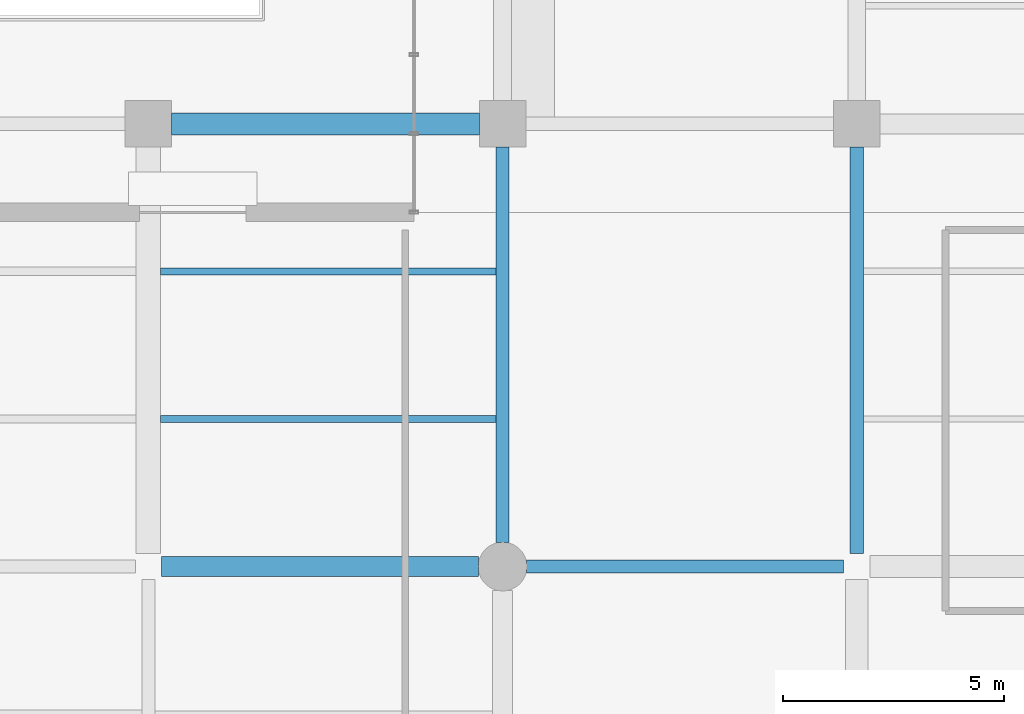
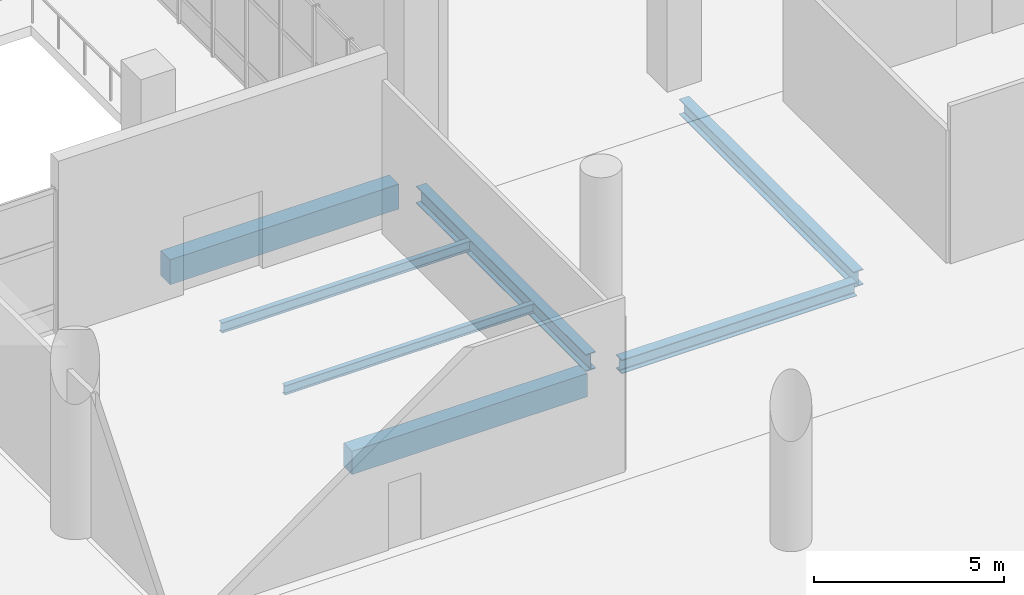
# One storey, part 73 of 163: 7 beams.
"""IFC4 building model written with IfcOpenShell, lengths in metres."""

from ifc_helpers import new_model, si_unit, direction, frame, origin, origin_2d, place, context, subcontext, project, spatial, rectangle, i_section, extrude, material, material_profile, profile_set, type_object, element, save


model = new_model("IFC4")

# Units and contexts
model_context = context("Model", 3, precision=1e-05, world=origin(), true_north=direction((0.0, 1.0)))
body_context = subcontext(model_context, "Body", "Model", "MODEL_VIEW")
ifc_project = project(units=[si_unit("LENGTHUNIT", "METRE"), si_unit("AREAUNIT", "SQUARE_METRE"), si_unit("VOLUMEUNIT", "CUBIC_METRE"), si_unit("PLANEANGLEUNIT", "RADIAN"), si_unit("MASSUNIT", "GRAM", prefix="KILO")], contexts=[model_context])

# Site, building, storey
site_placement = place(None, origin())
site = spatial("IfcSite", under=ifc_project, at=site_placement, CompositionType="ELEMENT")
building_placement = place(site_placement, origin())
building = spatial("IfcBuilding", under=site, at=building_placement, Name="Khorjan Park Terminus", CompositionType="ELEMENT")
storey_placement = place(building_placement, origin())
storey = spatial("IfcBuildingStorey", under=building, at=storey_placement, Name="L00", CompositionType="ELEMENT", Elevation=0.0)

# Beams
ifc_material_1 = material(Name="Steel S355", Category="steel")
ifc_material_profile_1 = material_profile(ifc_material_1, i_section(OverallWidth=0.3, OverallDepth=0.44, WebThickness=0.0115, FlangeThickness=0.021, FilletRadius=0.027, at=origin_2d()), Name="HEA 450")
ifc_profile_set_1 = profile_set([ifc_material_profile_1], Name="Steel S355")
beam_type_1 = type_object("IfcBeamType", Name="BM-HEA450", PredefinedType="BEAM", material=ifc_profile_set_1)
beam_1_placement = place(storey_placement, frame((112.545, 78.0, -0.57), z_axis=(1.0, 0.0, 0.0), x_axis=(0.0, 1.0, 0.0)))
element("IfcBeam", 1, at=beam_1_placement, inside=storey, type_object=beam_type_1, Name="Primary floor girder SB-A45 (L00)", PredefinedType="BEAM", context=body_context, shape_type="SweptSolid", body=[
    extrude(i_section(OverallWidth=0.3, OverallDepth=0.44, WebThickness=0.0115, FlangeThickness=0.021, FilletRadius=0.027, at=origin_2d()), origin(), (0.0, 0.0, 1.0), 7.16),
])
ifc_material_profile_2 = material_profile(ifc_material_1, i_section(OverallWidth=0.3, OverallDepth=0.5, WebThickness=0.0145, FlangeThickness=0.028, FilletRadius=0.027, at=origin_2d()), Name="HEB 500")
ifc_profile_set_2 = profile_set([ifc_material_profile_2], Name="Steel S355")
beam_type_2 = type_object("IfcBeamType", Name="BM-HEB500", PredefinedType="BEAM", material=ifc_profile_set_2)
beam_2_placement = place(storey_placement, frame((120.0, 78.295, -0.6), z_axis=(0.0, 1.0, 0.0), x_axis=(-1.0, 0.0, 0.0)))
element("IfcBeam", 2, at=beam_2_placement, inside=storey, type_object=beam_type_2, Name="Primary floor girder SB-B50 (L00)", PredefinedType="BEAM", context=body_context, shape_type="SweptSolid", body=[
    extrude(i_section(OverallWidth=0.3, OverallDepth=0.5, WebThickness=0.0145, FlangeThickness=0.028, FilletRadius=0.027, at=origin_2d()), origin(), (0.0, 0.0, 1.0), 9.185),
])
ifc_material_profile_3 = material_profile(ifc_material_1, i_section(OverallWidth=0.3, OverallDepth=0.55, WebThickness=0.015, FlangeThickness=0.029, FilletRadius=0.027, at=origin_2d()), Name="HEB 550")
ifc_profile_set_3 = profile_set([ifc_material_profile_3], Name="Steel S355")
beam_type_3 = type_object("IfcBeamType", Name="BM-HEB550", PredefinedType="BEAM", material=ifc_profile_set_3)
beam_3_placement = place(storey_placement, frame((112.0, 78.545, -0.625), z_axis=(0.0, 1.0, 0.0), x_axis=(-1.0, 0.0, 0.0)))
element("IfcBeam", 3, at=beam_3_placement, inside=storey, type_object=beam_type_3, Name="Primary floor girder SB-B55 (L00)", PredefinedType="BEAM", context=body_context, shape_type="SweptSolid", body=[
    extrude(i_section(OverallWidth=0.3, OverallDepth=0.55, WebThickness=0.015, FlangeThickness=0.029, FilletRadius=0.027, at=origin_2d()), origin(), (0.0, 0.0, 1.0), 8.935),
])
ifc_material_2 = material(Name="Concrete C40/50", Category="concrete")
ifc_material_profile_4 = material_profile(ifc_material_2, rectangle(XDim=0.45, YDim=0.75, at=origin_2d()), Name="RC 450x750")
ifc_profile_set_4 = profile_set([ifc_material_profile_4], Name="Concrete C40/50")
beam_type_4 = type_object("IfcBeamType", Name="BM-RC450x750", PredefinedType="BEAM", material=ifc_profile_set_4)
beam_4_placement = place(storey_placement, frame((104.295, 78.0, -0.725), z_axis=(1.0, 0.0, 0.0), x_axis=(0.0, 1.0, 0.0)))
element("IfcBeam", 4, at=beam_4_placement, inside=storey, type_object=beam_type_4, Name="Primary floor girder GB-75 (L00)", PredefinedType="BEAM", context=body_context, shape_type="SweptSolid", body=[
    extrude(rectangle(XDim=0.45, YDim=0.75, at=origin_2d()), origin(), (0.0, 0.0, 1.0), 7.16),
])
ifc_material_profile_5 = material_profile(ifc_material_2, rectangle(XDim=0.5, YDim=0.8, at=origin_2d()), Name="RC 500x800")
ifc_profile_set_5 = profile_set([ifc_material_profile_5], Name="Concrete C40/50")
beam_type_5 = type_object("IfcBeamType", Name="BM-RC500x800", PredefinedType="BEAM", material=ifc_profile_set_5)
beam_5_placement = place(storey_placement, frame((104.52, 88.0, -0.72), z_axis=(1.0, 0.0, 0.0), x_axis=(0.0, 1.0, 0.0)))
element("IfcBeam", 5, at=beam_5_placement, inside=storey, type_object=beam_type_5, Name="Primary floor girder GB-08 (L00)", PredefinedType="BEAM", context=body_context, shape_type="SweptSolid", body=[
    extrude(rectangle(XDim=0.5, YDim=0.8, at=origin_2d()), origin(), (0.0, 0.0, 1.0), 6.96),
])
ifc_material_profile_6 = material_profile(ifc_material_1, i_section(OverallWidth=0.15, OverallDepth=0.3, WebThickness=0.0071, FlangeThickness=0.0107, FilletRadius=0.015, at=origin_2d()), Name="IPE 300")
ifc_profile_set_6 = profile_set([ifc_material_profile_6], Name="Steel S355")
beam_type_6 = type_object("IfcBeamType", Name="JS-IPE300", PredefinedType="JOIST", material=ifc_profile_set_6)
beam_6_placement = place(storey_placement, frame((104.275, 81.3333, -0.5), z_axis=(1.0, 0.0, 0.0), x_axis=(0.0, 1.0, 0.0)))
element("IfcBeam", 6, at=beam_6_placement, inside=storey, type_object=beam_type_6, Name="Secondary composite floor joist SJ-30 (L00)", PredefinedType="JOIST", context=body_context, shape_type="SweptSolid", body=[
    extrude(i_section(OverallWidth=0.15, OverallDepth=0.3, WebThickness=0.0071, FlangeThickness=0.0107, FilletRadius=0.015, at=origin_2d()), origin(), (0.0, 0.0, 1.0), 7.575),
])
ifc_material_profile_7 = material_profile(ifc_material_1, i_section(OverallWidth=0.16, OverallDepth=0.33, WebThickness=0.0075, FlangeThickness=0.0115, FilletRadius=0.018, at=origin_2d()), Name="IPE 330")
ifc_profile_set_7 = profile_set([ifc_material_profile_7], Name="Steel S355")
beam_type_7 = type_object("IfcBeamType", Name="JS-IPE330", PredefinedType="JOIST", material=ifc_profile_set_7)
beam_7_placement = place(storey_placement, frame((104.275, 84.6667, -0.515), z_axis=(1.0, 0.0, 0.0), x_axis=(0.0, 1.0, 0.0)))
element("IfcBeam", 7, at=beam_7_placement, inside=storey, type_object=beam_type_7, Name="Secondary composite floor joist SJ-33 (L00)", PredefinedType="JOIST", context=body_context, shape_type="SweptSolid", body=[
    extrude(i_section(OverallWidth=0.16, OverallDepth=0.33, WebThickness=0.0075, FlangeThickness=0.0115, FilletRadius=0.018, at=origin_2d()), origin(), (0.0, 0.0, 1.0), 7.575),
])

save(model, "model.ifc")
